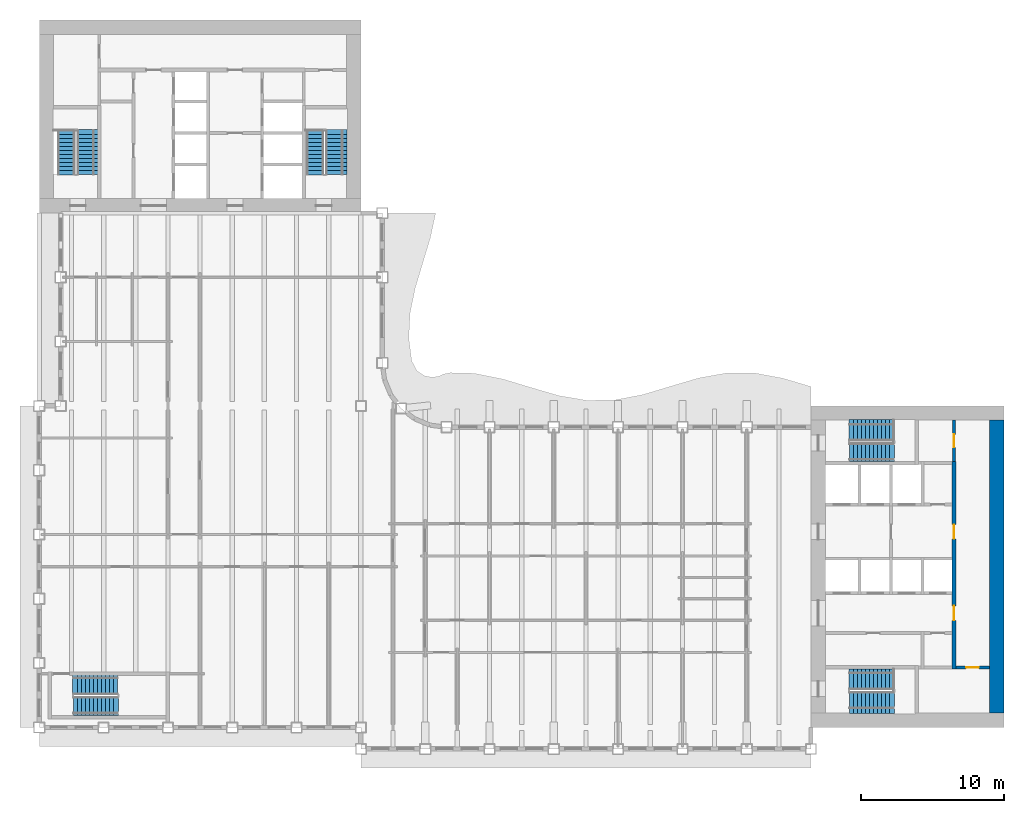
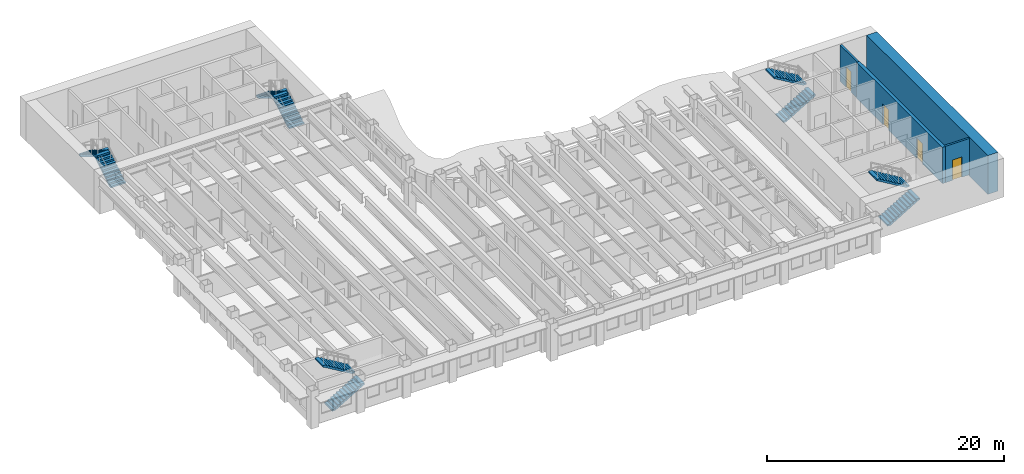
# One storey, part 10 of 16: 10 stair flights, 4 doors, 4 walls, 4 openings, 5 elements without a shape of their own.
"""IFC4 building model written with IfcOpenShell, lengths in metres."""

from ifc_helpers import new_model, si_unit, direction, frame, frame_2d, origin, place, context, subcontext, project, spatial, polyline, rectangle, outline, extrude, material, layer, layer_set, type_object, element, fill, aggregate, save


model = new_model("IFC4")

# Units and contexts
model_context = context("Model", 3, precision=1e-05, world=origin(), true_north=direction((0.0, 1.0)))
body_context = subcontext(model_context, "Body", "Model", "MODEL_VIEW")
ifc_project = project(units=[si_unit("LENGTHUNIT", "METRE"), si_unit("AREAUNIT", "SQUARE_METRE"), si_unit("VOLUMEUNIT", "CUBIC_METRE"), si_unit("PLANEANGLEUNIT", "RADIAN"), si_unit("MASSUNIT", "GRAM", prefix="KILO")], contexts=[model_context])

# Site, building, storey
site_placement = place(None, origin())
site = spatial("IfcSite", under=ifc_project, at=site_placement, CompositionType="ELEMENT")
building_placement = place(site_placement, origin())
building = spatial("IfcBuilding", under=site, at=building_placement, Name="Sennacour Bend Tower", CompositionType="ELEMENT")
storey_placement = place(building_placement, frame((0.0, 0.0, 239.0)))
storey = spatial("IfcBuildingStorey", under=building, at=storey_placement, Name="L55", CompositionType="ELEMENT", Elevation=239.0)

# Wall
ifc_material_1 = material(Name="Concrete C60/75", Category="concrete")
ifc_layer_1 = layer(ifc_material_1, 1.0, Name="Concrete C60/75", Category="concrete")
ifc_layer_set_1 = layer_set([ifc_layer_1], Name="Concrete C60/75")
wall_type_1 = type_object("IfcWallType", Name="Core wall 1000 C60/75", PredefinedType="SHEAR", material=ifc_layer_set_1)
wall_1_placement = place(storey_placement, frame((67.0, 1.0, -0.14990234375), z_axis=(0.0, 0.0, 1.0), x_axis=(0.0, 1.0, 0.0)))
element("IfcWall", 1, at=wall_1_placement, inside=storey, type_object=wall_type_1, Name="Core A wall L55 E", PredefinedType="SHEAR", context=body_context, shape_type="SweptSolid", body=[
    extrude(rectangle(XDim=20.5, YDim=1.0, at=frame_2d((10.25, 0.0))), origin(), (0.0, 0.0, 1.0), 4.0),
])

# Wall, opening, door
ifc_material_2 = material(Name="Fire-rated plasterboard partition on steel studs", Category="steel")
ifc_layer_2 = layer(ifc_material_2, 0.199951171875, Name="Fire-rated plasterboard partition on steel studs", Category="steel")
ifc_layer_set_2 = layer_set([ifc_layer_2], Name="Fire-rated plasterboard partition on steel studs")
wall_type_2 = type_object("IfcWallType", Name="Rated partition 200", PredefinedType="PARTITIONING", material=ifc_layer_set_2)
wall_2_placement = place(storey_placement, frame((64.0, 18.60009765625, 0.0), z_axis=(0.0, 0.0, 1.0), x_axis=(0.0, 1.0, 0.0)))
wall_2 = element("IfcWall", 2, at=wall_2_placement, inside=storey, type_object=wall_type_2, Name="P-L55-W048", PredefinedType="PARTITIONING", context=body_context, shape_type="SweptSolid", body=[
    extrude(rectangle(XDim=2.89990234375, YDim=0.199951171875, at=frame_2d((1.449951171875, 0.0))), origin(), (0.0, 0.0, 1.0), 3.75),
])
opening_1_placement = place(wall_2_placement, frame((1.0, 0.0, 0.0)))
opening_1 = element("IfcOpeningElement", 3, at=opening_1_placement, cuts=wall_2, Name="Opening SV", PredefinedType="OPENING", context=body_context, shape_type="SweptSolid", body=[
    extrude(rectangle(XDim=0.89990234375, YDim=2.10009765625, at=frame_2d((0.449951171875, 1.050048828125))), frame((0.0, 0.10986328125, 0.0), z_axis=(0.0, -1.0, 0.0), x_axis=(1.0, 0.0, 0.0)), (0.0, 0.0, 1.0), 0.219970703125),
])
ifc_material_3 = material(Name="Painted steel", Category="steel")
door_type_1 = type_object("IfcDoorType", Name="DR-SERVICE-900", OperationType="NOTDEFINED", PredefinedType="DOOR", material=ifc_material_3)
door_1_placement = place(opening_1_placement, origin())
door_1 = element("IfcDoor", 4, at=door_1_placement, inside=storey, type_object=door_type_1, Name="Door", OperationType="SINGLE_SWING_LEFT", OverallHeight=2.10009765625, OverallWidth=0.89990234375, PredefinedType="DOOR", context=body_context, shape_type="SweptSolid", body=[
    extrude(rectangle(XDim=0.89990234375, YDim=2.10009765625, at=frame_2d((0.449951171875, 1.050048828125))), frame((0.0, 0.02490234375, 0.0), z_axis=(0.0, -1.0, 0.0), x_axis=(1.0, 0.0, 0.0)), (0.0, 0.0, 1.0), 0.050048828125),
])
fill(opening_1, door_1)

wall_3_placement = place(storey_placement, frame((64.14990234375, 4.199951171875, 0.0), z_axis=(0.0, 0.0, 1.0), x_axis=(1.0, 0.0, 0.0)))
wall_3 = element("IfcWall", 5, at=wall_3_placement, inside=storey, type_object=wall_type_2, Name="P-L55-W055c", PredefinedType="PARTITIONING", context=body_context, shape_type="SweptSolid", body=[
    extrude(rectangle(XDim=2.35009765625, YDim=0.199951171875, at=frame_2d((1.175048828125, 0.0))), origin(), (0.0, 0.0, 1.0), 3.75),
])
opening_2_placement = place(wall_3_placement, frame((0.7001953125, 0.0, 0.0)))
opening_2 = element("IfcOpeningElement", 6, at=opening_2_placement, cuts=wall_3, Name="Opening SV", PredefinedType="OPENING", context=body_context, shape_type="SweptSolid", body=[
    extrude(rectangle(XDim=0.89990234375, YDim=2.10009765625, at=frame_2d((0.449951171875, 1.050048828125))), frame((0.0, 0.10986328125, 0.0), z_axis=(0.0, -1.0, 0.0), x_axis=(1.0, 0.0, 0.0)), (0.0, 0.0, 1.0), 0.219970703125),
])
door_2_placement = place(opening_2_placement, origin())
door_2 = element("IfcDoor", 7, at=door_2_placement, inside=storey, type_object=door_type_1, Name="Door", OperationType="SINGLE_SWING_LEFT", OverallHeight=2.10009765625, OverallWidth=0.89990234375, PredefinedType="DOOR", context=body_context, shape_type="SweptSolid", body=[
    extrude(rectangle(XDim=0.89990234375, YDim=2.10009765625, at=frame_2d((0.449951171875, 1.050048828125))), frame((0.0, 0.02490234375, 0.0), z_axis=(0.0, -1.0, 0.0), x_axis=(1.0, 0.0, 0.0)), (0.0, 0.0, 1.0), 0.050048828125),
])
fill(opening_2, door_2)

# Wall, openings, doors
ifc_layer_3 = layer(ifc_material_1, 0.300048828125, Name="Concrete C60/75", Category="concrete")
ifc_layer_set_3 = layer_set([ifc_layer_3], Name="Concrete C60/75")
wall_type_3 = type_object("IfcWallType", Name="Spine wall 300", PredefinedType="SHEAR", material=ifc_layer_set_3)
wall_4_placement = place(storey_placement, frame((64.0, 4.10009765625, 0.0), z_axis=(0.0, 0.0, 1.0), x_axis=(0.0, 1.0, 0.0)))
wall_4 = element("IfcWall", 8, at=wall_4_placement, inside=storey, type_object=wall_type_3, Name="P-L55-W047", PredefinedType="SHEAR", context=body_context, shape_type="SweptSolid", body=[
    extrude(rectangle(XDim=14.5, YDim=0.300048828125, at=frame_2d((7.25, 0.0))), origin(), (0.0, 0.0, 1.0), 3.75),
])
opening_3_placement = place(wall_4_placement, frame((3.39990234375, 0.0, 0.0)))
opening_3 = element("IfcOpeningElement", 9, at=opening_3_placement, cuts=wall_4, Name="Opening CD2", PredefinedType="OPENING", context=body_context, shape_type="SweptSolid", body=[
    extrude(rectangle(XDim=1.0, YDim=2.10009765625, at=frame_2d((0.5, 1.050048828125))), frame((0.0, 0.16015625, 0.0), z_axis=(0.0, -1.0, 0.0), x_axis=(1.0, 0.0, 0.0)), (0.0, 0.0, 1.0), 0.320068359375),
])
opening_4_placement = place(wall_4_placement, frame((9.099853515625, 0.0, 0.0)))
opening_4 = element("IfcOpeningElement", 10, at=opening_4_placement, cuts=wall_4, Name="Opening CD2", PredefinedType="OPENING", context=body_context, shape_type="SweptSolid", body=[
    extrude(rectangle(XDim=1.0, YDim=2.10009765625, at=frame_2d((0.5, 1.050048828125))), frame((0.0, 0.16015625, 0.0), z_axis=(0.0, -1.0, 0.0), x_axis=(1.0, 0.0, 0.0)), (0.0, 0.0, 1.0), 0.320068359375),
])
door_type_2 = type_object("IfcDoorType", Name="DR-LOBBY-1000", OperationType="NOTDEFINED", PredefinedType="DOOR", material=ifc_material_3)
door_3_placement = place(opening_3_placement, origin())
door_3 = element("IfcDoor", 11, at=door_3_placement, inside=storey, type_object=door_type_2, Name="Door", OperationType="SINGLE_SWING_LEFT", OverallHeight=2.10009765625, OverallWidth=1.0, PredefinedType="DOOR", context=body_context, shape_type="SweptSolid", body=[
    extrude(rectangle(XDim=1.0, YDim=2.10009765625, at=frame_2d((0.5, 1.050048828125))), frame((0.0, 0.02490234375, 0.0), z_axis=(0.0, -1.0, 0.0), x_axis=(1.0, 0.0, 0.0)), (0.0, 0.0, 1.0), 0.050048828125),
])
fill(opening_3, door_3)
door_4_placement = place(opening_4_placement, origin())
door_4 = element("IfcDoor", 12, at=door_4_placement, inside=storey, type_object=door_type_2, Name="Door", OperationType="SINGLE_SWING_RIGHT", OverallHeight=2.10009765625, OverallWidth=1.0, PredefinedType="DOOR", context=body_context, shape_type="SweptSolid", body=[
    extrude(rectangle(XDim=1.0, YDim=2.10009765625, at=frame_2d((0.5, 1.050048828125))), frame((0.0, 0.02490234375, 0.0), z_axis=(0.0, -1.0, 0.0), x_axis=(1.0, 0.0, 0.0)), (0.0, 0.0, 1.0), 0.050048828125),
])
fill(opening_4, door_4)

# Stair, stair flights
ifc_material_4 = material(Name="Concrete C40/50", Category="concrete")
stair_type = type_object("IfcStairType", Name="ST-DOGLEG", PredefinedType="HALF_TURN_STAIR", material=ifc_material_4)
stair_1_placement = place(storey_placement, origin())
stair_1 = element("IfcStair", 13, at=stair_1_placement, inside=storey, type_object=stair_type, Name="L55 Exit stair A1", PredefinedType="HALF_TURN_STAIR")
stair_flight_type = type_object("IfcStairFlightType", Name="SFL-RC", PredefinedType="STRAIGHT", material=ifc_material_4)
stair_flight_1_placement = place(storey_placement, frame((56.699951171875, 1.735107421875, 0.0), z_axis=(0.0, 0.0, 1.0), x_axis=(1.0, 0.0, 0.0)))
stair_flight_1 = element("IfcStairFlight", 14, at=stair_flight_1_placement, type_object=stair_flight_type, Name="SA1 flight 1", NumberOfRisers=12, NumberOfTreads=11, PredefinedType="STRAIGHT", RiserHeight=0.166666667, TreadLength=0.28, context=body_context, shape_type="SweptSolid", body=[
    extrude(outline(polyline([(0.0, 0.0), (0.0, 0.166748046875), (0.280029296875, 0.166748046875), (0.280029296875, 0.333251953125), (0.56005859375, 0.333251953125), (0.56005859375, 0.5), (0.840087890625, 0.5), (0.840087890625, 0.666748046875), (1.1201171875, 0.666748046875), (1.1201171875, 0.833251953125), (1.39990234375, 0.833251953125), (1.39990234375, 1.0), (1.679931640625, 1.0), (1.679931640625, 1.166748046875), (1.9599609375, 1.166748046875), (1.9599609375, 1.333251953125), (2.239990234375, 1.333251953125), (2.239990234375, 1.5), (2.52001953125, 1.5), (2.52001953125, 1.666748046875), (2.800048828125, 1.666748046875), (2.800048828125, 1.833251953125), (3.080078125, 1.833251953125), (3.139892578125, 1.833251953125), (3.139892578125, 1.658935546875), (3.080078125, 1.658935546875), (0.29296875, 0.0), (0.0, 0.0)])), frame((0.0, 0.76513671875, 0.0), z_axis=(0.0, -1.0, 0.0), x_axis=(1.0, 0.0, 0.0)), (0.0, 0.0, 1.0), 1.530029296875),
])
stair_flight_2_placement = place(storey_placement, frame((59.780029296875, 3.37744140625, 2.0), z_axis=(0.0, 0.0, 1.0), x_axis=(-1.0, 0.0, 0.0)))
stair_flight_2 = element("IfcStairFlight", 15, at=stair_flight_2_placement, type_object=stair_flight_type, Name="SA1 flight 2", NumberOfRisers=12, NumberOfTreads=11, PredefinedType="STRAIGHT", RiserHeight=0.166666667, TreadLength=0.28, context=body_context, shape_type="SweptSolid", body=[
    extrude(outline(polyline([(0.0, 0.0), (0.0, 0.166748046875), (0.280029296875, 0.166748046875), (0.280029296875, 0.333251953125), (0.56005859375, 0.333251953125), (0.56005859375, 0.5), (0.840087890625, 0.5), (0.840087890625, 0.666748046875), (1.1201171875, 0.666748046875), (1.1201171875, 0.833251953125), (1.39990234375, 0.833251953125), (1.39990234375, 1.0), (1.679931640625, 1.0), (1.679931640625, 1.166748046875), (1.9599609375, 1.166748046875), (1.9599609375, 1.333251953125), (2.239990234375, 1.333251953125), (2.239990234375, 1.5), (2.52001953125, 1.5), (2.52001953125, 1.666748046875), (2.800048828125, 1.666748046875), (2.800048828125, 1.833251953125), (3.080078125, 1.833251953125), (3.139892578125, 1.833251953125), (3.139892578125, 1.658935546875), (3.080078125, 1.658935546875), (0.29296875, 0.0), (0.0, 0.0)])), frame((0.0, 0.7275390625, 0.0), z_axis=(0.0, -1.0, 0.0), x_axis=(1.0, 0.0, 0.0)), (0.0, 0.0, 1.0), 1.455078125),
])
aggregate(stair_1, [stair_flight_1, stair_flight_2])

stair_2_placement = place(storey_placement, origin())
stair_2 = element("IfcStair", 16, at=stair_2_placement, inside=storey, type_object=stair_type, Name="L55 Exit stair A2", PredefinedType="HALF_TURN_STAIR")
stair_flight_3_placement = place(storey_placement, frame((56.699951171875, 19.24755859375, 0.0), z_axis=(0.0, 0.0, 1.0), x_axis=(1.0, 0.0, 0.0)))
stair_flight_3 = element("IfcStairFlight", 17, at=stair_flight_3_placement, type_object=stair_flight_type, Name="SA2 flight 1", NumberOfRisers=12, NumberOfTreads=11, PredefinedType="STRAIGHT", RiserHeight=0.166666667, TreadLength=0.28, context=body_context, shape_type="SweptSolid", body=[
    extrude(outline(polyline([(0.0, 0.0), (0.0, 0.166748046875), (0.280029296875, 0.166748046875), (0.280029296875, 0.333251953125), (0.56005859375, 0.333251953125), (0.56005859375, 0.5), (0.840087890625, 0.5), (0.840087890625, 0.666748046875), (1.1201171875, 0.666748046875), (1.1201171875, 0.833251953125), (1.39990234375, 0.833251953125), (1.39990234375, 1.0), (1.679931640625, 1.0), (1.679931640625, 1.166748046875), (1.9599609375, 1.166748046875), (1.9599609375, 1.333251953125), (2.239990234375, 1.333251953125), (2.239990234375, 1.5), (2.52001953125, 1.5), (2.52001953125, 1.666748046875), (2.800048828125, 1.666748046875), (2.800048828125, 1.833251953125), (3.080078125, 1.833251953125), (3.139892578125, 1.833251953125), (3.139892578125, 1.658935546875), (3.080078125, 1.658935546875), (0.29296875, 0.0), (0.0, 0.0)])), frame((0.0, 0.65234375, 0.0), z_axis=(0.0, -1.0, 0.0), x_axis=(1.0, 0.0, 0.0)), (0.0, 0.0, 1.0), 1.304931640625),
])
stair_flight_4_placement = place(storey_placement, frame((59.780029296875, 20.7900390625, 2.0), z_axis=(0.0, 0.0, 1.0), x_axis=(-1.0, 0.0, 0.0)))
stair_flight_4 = element("IfcStairFlight", 18, at=stair_flight_4_placement, type_object=stair_flight_type, Name="SA2 flight 2", NumberOfRisers=12, NumberOfTreads=11, PredefinedType="STRAIGHT", RiserHeight=0.166666667, TreadLength=0.28, context=body_context, shape_type="SweptSolid", body=[
    extrude(outline(polyline([(0.0, 0.0), (0.0, 0.166748046875), (0.280029296875, 0.166748046875), (0.280029296875, 0.333251953125), (0.56005859375, 0.333251953125), (0.56005859375, 0.5), (0.840087890625, 0.5), (0.840087890625, 0.666748046875), (1.1201171875, 0.666748046875), (1.1201171875, 0.833251953125), (1.39990234375, 0.833251953125), (1.39990234375, 1.0), (1.679931640625, 1.0), (1.679931640625, 1.166748046875), (1.9599609375, 1.166748046875), (1.9599609375, 1.333251953125), (2.239990234375, 1.333251953125), (2.239990234375, 1.5), (2.52001953125, 1.5), (2.52001953125, 1.666748046875), (2.800048828125, 1.666748046875), (2.800048828125, 1.833251953125), (3.080078125, 1.833251953125), (3.139892578125, 1.833251953125), (3.139892578125, 1.658935546875), (3.080078125, 1.658935546875), (0.29296875, 0.0), (0.0, 0.0)])), frame((0.0, 0.739990234375, 0.0), z_axis=(0.0, -1.0, 0.0), x_axis=(1.0, 0.0, 0.0)), (0.0, 0.0, 1.0), 1.47998046875),
])
aggregate(stair_2, [stair_flight_3, stair_flight_4])

stair_3_placement = place(storey_placement, origin())
stair_3 = element("IfcStair", 19, at=stair_3_placement, inside=storey, type_object=stair_type, Name="L55 Exit stair B1", PredefinedType="HALF_TURN_STAIR")
stair_flight_5_placement = place(storey_placement, frame((3.37744140625, 38.699951171875, 0.0), z_axis=(0.0, 0.0, 1.0), x_axis=(0.0, 1.0, 0.0)))
stair_flight_5 = element("IfcStairFlight", 20, at=stair_flight_5_placement, type_object=stair_flight_type, Name="SB1 flight 1", NumberOfRisers=12, NumberOfTreads=11, PredefinedType="STRAIGHT", RiserHeight=0.166666667, TreadLength=0.28, context=body_context, shape_type="SweptSolid", body=[
    extrude(outline(polyline([(0.0, 0.0), (0.0, 0.166748046875), (0.280029296875, 0.166748046875), (0.280029296875, 0.333251953125), (0.56005859375, 0.333251953125), (0.56005859375, 0.5), (0.840087890625, 0.5), (0.840087890625, 0.666748046875), (1.1201171875, 0.666748046875), (1.1201171875, 0.833251953125), (1.39990234375, 0.833251953125), (1.39990234375, 1.0), (1.679931640625, 1.0), (1.679931640625, 1.166748046875), (1.9599609375, 1.166748046875), (1.9599609375, 1.333251953125), (2.239990234375, 1.333251953125), (2.239990234375, 1.5), (2.52001953125, 1.5), (2.52001953125, 1.666748046875), (2.800048828125, 1.666748046875), (2.800048828125, 1.833251953125), (3.080078125, 1.833251953125), (3.139892578125, 1.833251953125), (3.139892578125, 1.658935546875), (3.080078125, 1.658935546875), (0.29296875, 0.0), (0.0, 0.0)])), frame((0.0, 0.7275390625, 0.0), z_axis=(0.0, -1.0, 0.0), x_axis=(1.0, 0.0, 0.0)), (0.0, 0.0, 1.0), 1.455078125),
])
stair_flight_6_placement = place(storey_placement, frame((1.89990234375, 41.780029296875, 2.0), z_axis=(0.0, 0.0, 1.0), x_axis=(0.0, -1.0, 0.0)))
stair_flight_6 = element("IfcStairFlight", 21, at=stair_flight_6_placement, type_object=stair_flight_type, Name="SB1 flight 2", NumberOfRisers=12, NumberOfTreads=11, PredefinedType="STRAIGHT", RiserHeight=0.166666667, TreadLength=0.28, context=body_context, shape_type="SweptSolid", body=[
    extrude(outline(polyline([(0.0, 0.0), (0.0, 0.166748046875), (0.280029296875, 0.166748046875), (0.280029296875, 0.333251953125), (0.56005859375, 0.333251953125), (0.56005859375, 0.5), (0.840087890625, 0.5), (0.840087890625, 0.666748046875), (1.1201171875, 0.666748046875), (1.1201171875, 0.833251953125), (1.39990234375, 0.833251953125), (1.39990234375, 1.0), (1.679931640625, 1.0), (1.679931640625, 1.166748046875), (1.9599609375, 1.166748046875), (1.9599609375, 1.333251953125), (2.239990234375, 1.333251953125), (2.239990234375, 1.5), (2.52001953125, 1.5), (2.52001953125, 1.666748046875), (2.800048828125, 1.666748046875), (2.800048828125, 1.833251953125), (3.080078125, 1.833251953125), (3.139892578125, 1.833251953125), (3.139892578125, 1.658935546875), (3.080078125, 1.658935546875), (0.29296875, 0.0), (0.0, 0.0)])), frame((0.0, 0.60009765625, 0.0), z_axis=(0.0, -1.0, 0.0), x_axis=(1.0, 0.0, 0.0)), (0.0, 0.0, 1.0), 1.199951171875),
])
aggregate(stair_3, [stair_flight_5, stair_flight_6])

stair_4_placement = place(storey_placement, origin())
stair_4 = element("IfcStair", 22, at=stair_4_placement, inside=storey, type_object=stair_type, Name="L55 Exit stair B2", PredefinedType="HALF_TURN_STAIR")
stair_flight_7_placement = place(storey_placement, frame((20.7900390625, 38.699951171875, 0.0), z_axis=(0.0, 0.0, 1.0), x_axis=(0.0, 1.0, 0.0)))
stair_flight_7 = element("IfcStairFlight", 23, at=stair_flight_7_placement, type_object=stair_flight_type, Name="SB2 flight 1", NumberOfRisers=12, NumberOfTreads=11, PredefinedType="STRAIGHT", RiserHeight=0.166666667, TreadLength=0.28, context=body_context, shape_type="SweptSolid", body=[
    extrude(outline(polyline([(0.0, 0.0), (0.0, 0.166748046875), (0.280029296875, 0.166748046875), (0.280029296875, 0.333251953125), (0.56005859375, 0.333251953125), (0.56005859375, 0.5), (0.840087890625, 0.5), (0.840087890625, 0.666748046875), (1.1201171875, 0.666748046875), (1.1201171875, 0.833251953125), (1.39990234375, 0.833251953125), (1.39990234375, 1.0), (1.679931640625, 1.0), (1.679931640625, 1.166748046875), (1.9599609375, 1.166748046875), (1.9599609375, 1.333251953125), (2.239990234375, 1.333251953125), (2.239990234375, 1.5), (2.52001953125, 1.5), (2.52001953125, 1.666748046875), (2.800048828125, 1.666748046875), (2.800048828125, 1.833251953125), (3.080078125, 1.833251953125), (3.139892578125, 1.833251953125), (3.139892578125, 1.658935546875), (3.080078125, 1.658935546875), (0.29296875, 0.0), (0.0, 0.0)])), frame((0.0, 0.739990234375, 0.0), z_axis=(0.0, -1.0, 0.0), x_axis=(1.0, 0.0, 0.0)), (0.0, 0.0, 1.0), 1.47998046875),
])
stair_flight_8_placement = place(storey_placement, frame((19.24755859375, 41.780029296875, 2.0), z_axis=(0.0, 0.0, 1.0), x_axis=(0.0, -1.0, 0.0)))
stair_flight_8 = element("IfcStairFlight", 24, at=stair_flight_8_placement, type_object=stair_flight_type, Name="SB2 flight 2", NumberOfRisers=12, NumberOfTreads=11, PredefinedType="STRAIGHT", RiserHeight=0.166666667, TreadLength=0.28, context=body_context, shape_type="SweptSolid", body=[
    extrude(outline(polyline([(0.0, 0.0), (0.0, 0.166748046875), (0.280029296875, 0.166748046875), (0.280029296875, 0.333251953125), (0.56005859375, 0.333251953125), (0.56005859375, 0.5), (0.840087890625, 0.5), (0.840087890625, 0.666748046875), (1.1201171875, 0.666748046875), (1.1201171875, 0.833251953125), (1.39990234375, 0.833251953125), (1.39990234375, 1.0), (1.679931640625, 1.0), (1.679931640625, 1.166748046875), (1.9599609375, 1.166748046875), (1.9599609375, 1.333251953125), (2.239990234375, 1.333251953125), (2.239990234375, 1.5), (2.52001953125, 1.5), (2.52001953125, 1.666748046875), (2.800048828125, 1.666748046875), (2.800048828125, 1.833251953125), (3.080078125, 1.833251953125), (3.139892578125, 1.833251953125), (3.139892578125, 1.658935546875), (3.080078125, 1.658935546875), (0.29296875, 0.0), (0.0, 0.0)])), frame((0.0, 0.65234375, 0.0), z_axis=(0.0, -1.0, 0.0), x_axis=(1.0, 0.0, 0.0)), (0.0, 0.0, 1.0), 1.304931640625),
])
aggregate(stair_4, [stair_flight_7, stair_flight_8])

stair_5_placement = place(storey_placement, origin())
stair_5 = element("IfcStair", 25, at=stair_5_placement, inside=storey, type_object=stair_type, Name="L55 Exit stair K1", PredefinedType="HALF_TURN_STAIR")
stair_flight_9_placement = place(storey_placement, frame((2.39990234375, 1.485107421875, 0.0), z_axis=(0.0, 0.0, 1.0), x_axis=(1.0, 0.0, 0.0)))
stair_flight_9 = element("IfcStairFlight", 26, at=stair_flight_9_placement, type_object=stair_flight_type, Name="SK1 flight 1", NumberOfRisers=12, NumberOfTreads=11, PredefinedType="STRAIGHT", RiserHeight=0.166666667, TreadLength=0.28, context=body_context, shape_type="SweptSolid", body=[
    extrude(outline(polyline([(0.0, 0.0), (0.0, 0.166748046875), (0.280029296875, 0.166748046875), (0.280029296875, 0.333251953125), (0.56005859375, 0.333251953125), (0.56005859375, 0.5), (0.840087890625, 0.5), (0.840087890625, 0.666748046875), (1.1201171875, 0.666748046875), (1.1201171875, 0.833251953125), (1.39990234375, 0.833251953125), (1.39990234375, 1.0), (1.679931640625, 1.0), (1.679931640625, 1.166748046875), (1.9599609375, 1.166748046875), (1.9599609375, 1.333251953125), (2.239990234375, 1.333251953125), (2.239990234375, 1.5), (2.52001953125, 1.5), (2.52001953125, 1.666748046875), (2.800048828125, 1.666748046875), (2.800048828125, 1.833251953125), (3.080078125, 1.833251953125), (3.139892578125, 1.833251953125), (3.139892578125, 1.658935546875), (3.080078125, 1.658935546875), (0.29296875, 0.0), (0.0, 0.0)])), frame((0.0, 0.6650390625, 0.0), z_axis=(0.0, -1.0, 0.0), x_axis=(1.0, 0.0, 0.0)), (0.0, 0.0, 1.0), 1.330078125),
])
stair_flight_10_placement = place(storey_placement, frame((5.47998046875, 2.9775390625, 2.0), z_axis=(0.0, 0.0, 1.0), x_axis=(-1.0, 0.0, 0.0)))
stair_flight_10 = element("IfcStairFlight", 27, at=stair_flight_10_placement, type_object=stair_flight_type, Name="SK1 flight 2", NumberOfRisers=12, NumberOfTreads=11, PredefinedType="STRAIGHT", RiserHeight=0.166666667, TreadLength=0.28, context=body_context, shape_type="SweptSolid", body=[
    extrude(outline(polyline([(0.0, 0.0), (0.0, 0.166748046875), (0.280029296875, 0.166748046875), (0.280029296875, 0.333251953125), (0.56005859375, 0.333251953125), (0.56005859375, 0.5), (0.840087890625, 0.5), (0.840087890625, 0.666748046875), (1.1201171875, 0.666748046875), (1.1201171875, 0.833251953125), (1.39990234375, 0.833251953125), (1.39990234375, 1.0), (1.679931640625, 1.0), (1.679931640625, 1.166748046875), (1.9599609375, 1.166748046875), (1.9599609375, 1.333251953125), (2.239990234375, 1.333251953125), (2.239990234375, 1.5), (2.52001953125, 1.5), (2.52001953125, 1.666748046875), (2.800048828125, 1.666748046875), (2.800048828125, 1.833251953125), (3.080078125, 1.833251953125), (3.139892578125, 1.833251953125), (3.139892578125, 1.658935546875), (3.080078125, 1.658935546875), (0.29296875, 0.0), (0.0, 0.0)])), frame((0.0, 0.677490234375, 0.0), z_axis=(0.0, -1.0, 0.0), x_axis=(1.0, 0.0, 0.0)), (0.0, 0.0, 1.0), 1.35498046875),
])
aggregate(stair_5, [stair_flight_9, stair_flight_10])

save(model, "model.ifc")
